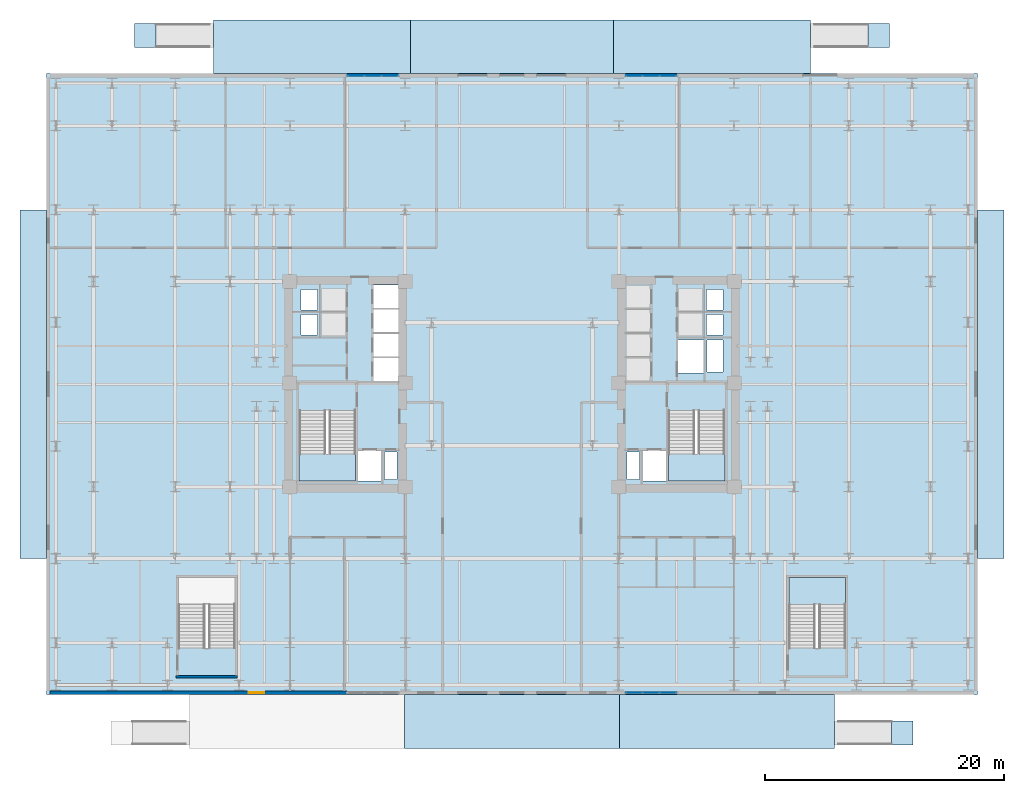
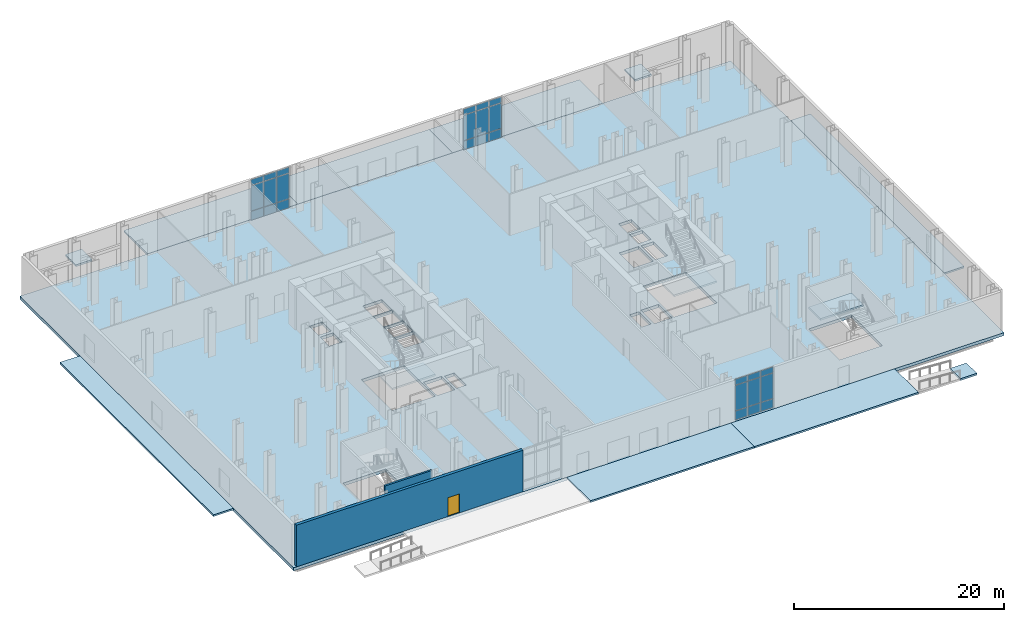
# One storey, part 10 of 21: 27 plates, 14 slabs, 2 walls, 1 door, 1 opening, 6 elements without a shape of their own.
"""IFC4 building model written with IfcOpenShell, lengths in metres."""

from ifc_helpers import new_model, si_unit, direction, frame, frame_2d, origin, origin_2d, place, context, subcontext, project, spatial, polyline, rectangle, outline, extrude, material, layer, layer_set, type_object, element, fill, aggregate, save


model = new_model("IFC4")

# Units and contexts
model_context = context("Model", 3, precision=1e-05, world=origin(), true_north=direction((0.0, 1.0)))
body_context = subcontext(model_context, "Body", "Model", "MODEL_VIEW")
ifc_project = project(units=[si_unit("LENGTHUNIT", "METRE"), si_unit("AREAUNIT", "SQUARE_METRE"), si_unit("VOLUMEUNIT", "CUBIC_METRE"), si_unit("PLANEANGLEUNIT", "RADIAN"), si_unit("MASSUNIT", "GRAM", prefix="KILO")], contexts=[model_context])

# Site, building, storey
site_placement = place(None, origin())
site = spatial("IfcSite", under=ifc_project, at=site_placement, CompositionType="ELEMENT")
building_placement = place(site_placement, origin())
building = spatial("IfcBuilding", under=site, at=building_placement, Name="Velakula Bourse", CompositionType="ELEMENT")
storey_placement = place(building_placement, origin())
storey = spatial("IfcBuildingStorey", under=building, at=storey_placement, Name="L00", CompositionType="ELEMENT", Elevation=0.0)

# Curtain wall, plates
ifc_material_1 = material(Name="Anodised bronze architectural aluminium", Category="aluminium")
ifc_layer_1 = layer(ifc_material_1, 0.199951171875, Name="Anodised bronze architectural aluminium", Category="aluminium")
ifc_layer_set_1 = layer_set([ifc_layer_1], Name="Anodised bronze architectural aluminium")
curtain_wall_type = type_object("IfcCurtainWallType", Name="CW-ST1", PredefinedType="NOTDEFINED", material=ifc_layer_set_1)
curtain_wall_1_placement = place(storey_placement, origin())
curtain_wall_1 = element("IfcCurtainWall", 1, at=curtain_wall_1_placement, inside=storey, type_object=curtain_wall_type, Name="L00 South Station Galleria Curtain Wall 2", PredefinedType="NOTDEFINED")
ifc_material_2 = material(Name="Double-glazed solar-control Low-E glass", Category="glass")
ifc_layer_2 = layer(ifc_material_2, 0.028076171875, Name="Double-glazed solar-control Low-E glass", Category="glass")
ifc_layer_set_2 = layer_set([ifc_layer_2], Name="Double-glazed solar-control Low-E glass")
plate_type = type_object("IfcPlateType", Name="PNL-CW-ST1", PredefinedType="CURTAIN_PANEL", material=ifc_layer_set_2)
plate_1_placement = place(storey_placement, frame((13.068359375, -25.840087890625, 0.06005859375), z_axis=(0.0, 0.0, 1.0), x_axis=(-1.0, 0.0, 0.0)))
plate_1 = element("IfcPlate", 2, at=plate_1_placement, type_object=plate_type, Name="CW-ST1 panel 1.1", PredefinedType="CURTAIN_PANEL", context=body_context, shape_type="SweptSolid", body=[
    extrude(rectangle(XDim=1.34326171875, YDim=0.028076171875, at=origin_2d()), origin(), (0.0, 0.0, 1.0), 1.010009765625),
])
plate_2_placement = place(storey_placement, frame((13.068359375, -25.840087890625, 1.130126953125), z_axis=(0.0, 0.0, 1.0), x_axis=(-1.0, 0.0, 0.0)))
plate_2 = element("IfcPlate", 3, at=plate_2_placement, type_object=plate_type, Name="CW-ST1 panel 1.2", PredefinedType="CURTAIN_PANEL", context=body_context, shape_type="SweptSolid", body=[
    extrude(rectangle(XDim=1.34326171875, YDim=0.028076171875, at=origin_2d()), origin(), (0.0, 0.0, 1.0), 2.919921875),
])
plate_3_placement = place(storey_placement, frame((13.068359375, -25.840087890625, 4.10986328125), z_axis=(0.0, 0.0, 1.0), x_axis=(-1.0, 0.0, 0.0)))
plate_3 = element("IfcPlate", 4, at=plate_3_placement, type_object=plate_type, Name="CW-ST1 panel 1.3", PredefinedType="CURTAIN_PANEL", context=body_context, shape_type="SweptSolid", body=[
    extrude(rectangle(XDim=1.34326171875, YDim=0.028076171875, at=origin_2d()), origin(), (0.0, 0.0, 1.0), 0.659912109375),
])
plate_4_placement = place(storey_placement, frame((11.64990234375, -25.840087890625, 0.06005859375), z_axis=(0.0, 0.0, 1.0), x_axis=(-1.0, 0.0, 0.0)))
plate_4 = element("IfcPlate", 5, at=plate_4_placement, type_object=plate_type, Name="CW-ST1 panel 2.1", PredefinedType="CURTAIN_PANEL", context=body_context, shape_type="SweptSolid", body=[
    extrude(rectangle(XDim=1.373291015625, YDim=0.028076171875, at=origin_2d()), origin(), (0.0, 0.0, 1.0), 1.010009765625),
])
plate_5_placement = place(storey_placement, frame((11.64990234375, -25.840087890625, 1.130126953125), z_axis=(0.0, 0.0, 1.0), x_axis=(-1.0, 0.0, 0.0)))
plate_5 = element("IfcPlate", 6, at=plate_5_placement, type_object=plate_type, Name="CW-ST1 panel 2.2", PredefinedType="CURTAIN_PANEL", context=body_context, shape_type="SweptSolid", body=[
    extrude(rectangle(XDim=1.373291015625, YDim=0.028076171875, at=origin_2d()), origin(), (0.0, 0.0, 1.0), 2.919921875),
])
plate_6_placement = place(storey_placement, frame((11.64990234375, -25.840087890625, 4.10986328125), z_axis=(0.0, 0.0, 1.0), x_axis=(-1.0, 0.0, 0.0)))
plate_6 = element("IfcPlate", 7, at=plate_6_placement, type_object=plate_type, Name="CW-ST1 panel 2.3", PredefinedType="CURTAIN_PANEL", context=body_context, shape_type="SweptSolid", body=[
    extrude(rectangle(XDim=1.373291015625, YDim=0.028076171875, at=origin_2d()), origin(), (0.0, 0.0, 1.0), 0.659912109375),
])
plate_7_placement = place(storey_placement, frame((10.231689453125, -25.840087890625, 0.06005859375), z_axis=(0.0, 0.0, 1.0), x_axis=(-1.0, 0.0, 0.0)))
plate_7 = element("IfcPlate", 8, at=plate_7_placement, type_object=plate_type, Name="CW-ST1 panel 3.1", PredefinedType="CURTAIN_PANEL", context=body_context, shape_type="SweptSolid", body=[
    extrude(rectangle(XDim=1.34326171875, YDim=0.028076171875, at=origin_2d()), origin(), (0.0, 0.0, 1.0), 1.010009765625),
])
plate_8_placement = place(storey_placement, frame((10.231689453125, -25.840087890625, 1.130126953125), z_axis=(0.0, 0.0, 1.0), x_axis=(-1.0, 0.0, 0.0)))
plate_8 = element("IfcPlate", 9, at=plate_8_placement, type_object=plate_type, Name="CW-ST1 panel 3.2", PredefinedType="CURTAIN_PANEL", context=body_context, shape_type="SweptSolid", body=[
    extrude(rectangle(XDim=1.34326171875, YDim=0.028076171875, at=origin_2d()), origin(), (0.0, 0.0, 1.0), 2.919921875),
])
plate_9_placement = place(storey_placement, frame((10.231689453125, -25.840087890625, 4.10986328125), z_axis=(0.0, 0.0, 1.0), x_axis=(-1.0, 0.0, 0.0)))
plate_9 = element("IfcPlate", 10, at=plate_9_placement, type_object=plate_type, Name="CW-ST1 panel 3.3", PredefinedType="CURTAIN_PANEL", context=body_context, shape_type="SweptSolid", body=[
    extrude(rectangle(XDim=1.34326171875, YDim=0.028076171875, at=origin_2d()), origin(), (0.0, 0.0, 1.0), 0.659912109375),
])
aggregate(curtain_wall_1, [plate_1, plate_2, plate_3, plate_4, plate_5, plate_6, plate_7, plate_8, plate_9])

curtain_wall_2_placement = place(storey_placement, origin())
curtain_wall_2 = element("IfcCurtainWall", 11, at=curtain_wall_2_placement, inside=storey, type_object=curtain_wall_type, Name="L00 North Station Galleria Curtain Wall 2", PredefinedType="NOTDEFINED")
plate_10_placement = place(storey_placement, frame((-13.068359375, 25.840087890625, 0.06005859375), z_axis=(0.0, 0.0, 1.0), x_axis=(1.0, 0.0, 0.0)))
plate_10 = element("IfcPlate", 12, at=plate_10_placement, type_object=plate_type, Name="CW-ST1 panel 1.1", PredefinedType="CURTAIN_PANEL", context=body_context, shape_type="SweptSolid", body=[
    extrude(rectangle(XDim=1.34326171875, YDim=0.028076171875, at=origin_2d()), origin(), (0.0, 0.0, 1.0), 1.010009765625),
])
plate_11_placement = place(storey_placement, frame((-13.068359375, 25.840087890625, 1.130126953125), z_axis=(0.0, 0.0, 1.0), x_axis=(1.0, 0.0, 0.0)))
plate_11 = element("IfcPlate", 13, at=plate_11_placement, type_object=plate_type, Name="CW-ST1 panel 1.2", PredefinedType="CURTAIN_PANEL", context=body_context, shape_type="SweptSolid", body=[
    extrude(rectangle(XDim=1.34326171875, YDim=0.028076171875, at=origin_2d()), origin(), (0.0, 0.0, 1.0), 2.919921875),
])
plate_12_placement = place(storey_placement, frame((-13.068359375, 25.840087890625, 4.10986328125), z_axis=(0.0, 0.0, 1.0), x_axis=(1.0, 0.0, 0.0)))
plate_12 = element("IfcPlate", 14, at=plate_12_placement, type_object=plate_type, Name="CW-ST1 panel 1.3", PredefinedType="CURTAIN_PANEL", context=body_context, shape_type="SweptSolid", body=[
    extrude(rectangle(XDim=1.34326171875, YDim=0.028076171875, at=origin_2d()), origin(), (0.0, 0.0, 1.0), 0.659912109375),
])
plate_13_placement = place(storey_placement, frame((-11.64990234375, 25.840087890625, 0.06005859375), z_axis=(0.0, 0.0, 1.0), x_axis=(1.0, 0.0, 0.0)))
plate_13 = element("IfcPlate", 15, at=plate_13_placement, type_object=plate_type, Name="CW-ST1 panel 2.1", PredefinedType="CURTAIN_PANEL", context=body_context, shape_type="SweptSolid", body=[
    extrude(rectangle(XDim=1.373291015625, YDim=0.028076171875, at=origin_2d()), origin(), (0.0, 0.0, 1.0), 1.010009765625),
])
plate_14_placement = place(storey_placement, frame((-11.64990234375, 25.840087890625, 1.130126953125), z_axis=(0.0, 0.0, 1.0), x_axis=(1.0, 0.0, 0.0)))
plate_14 = element("IfcPlate", 16, at=plate_14_placement, type_object=plate_type, Name="CW-ST1 panel 2.2", PredefinedType="CURTAIN_PANEL", context=body_context, shape_type="SweptSolid", body=[
    extrude(rectangle(XDim=1.373291015625, YDim=0.028076171875, at=origin_2d()), origin(), (0.0, 0.0, 1.0), 2.919921875),
])
plate_15_placement = place(storey_placement, frame((-11.64990234375, 25.840087890625, 4.10986328125), z_axis=(0.0, 0.0, 1.0), x_axis=(1.0, 0.0, 0.0)))
plate_15 = element("IfcPlate", 17, at=plate_15_placement, type_object=plate_type, Name="CW-ST1 panel 2.3", PredefinedType="CURTAIN_PANEL", context=body_context, shape_type="SweptSolid", body=[
    extrude(rectangle(XDim=1.373291015625, YDim=0.028076171875, at=origin_2d()), origin(), (0.0, 0.0, 1.0), 0.659912109375),
])
plate_16_placement = place(storey_placement, frame((-10.231689453125, 25.840087890625, 0.06005859375), z_axis=(0.0, 0.0, 1.0), x_axis=(1.0, 0.0, 0.0)))
plate_16 = element("IfcPlate", 18, at=plate_16_placement, type_object=plate_type, Name="CW-ST1 panel 3.1", PredefinedType="CURTAIN_PANEL", context=body_context, shape_type="SweptSolid", body=[
    extrude(rectangle(XDim=1.34326171875, YDim=0.028076171875, at=origin_2d()), origin(), (0.0, 0.0, 1.0), 1.010009765625),
])
plate_17_placement = place(storey_placement, frame((-10.231689453125, 25.840087890625, 1.130126953125), z_axis=(0.0, 0.0, 1.0), x_axis=(1.0, 0.0, 0.0)))
plate_17 = element("IfcPlate", 19, at=plate_17_placement, type_object=plate_type, Name="CW-ST1 panel 3.2", PredefinedType="CURTAIN_PANEL", context=body_context, shape_type="SweptSolid", body=[
    extrude(rectangle(XDim=1.34326171875, YDim=0.028076171875, at=origin_2d()), origin(), (0.0, 0.0, 1.0), 2.919921875),
])
plate_18_placement = place(storey_placement, frame((-10.231689453125, 25.840087890625, 4.10986328125), z_axis=(0.0, 0.0, 1.0), x_axis=(1.0, 0.0, 0.0)))
plate_18 = element("IfcPlate", 20, at=plate_18_placement, type_object=plate_type, Name="CW-ST1 panel 3.3", PredefinedType="CURTAIN_PANEL", context=body_context, shape_type="SweptSolid", body=[
    extrude(rectangle(XDim=1.34326171875, YDim=0.028076171875, at=origin_2d()), origin(), (0.0, 0.0, 1.0), 0.659912109375),
])
aggregate(curtain_wall_2, [plate_10, plate_11, plate_12, plate_13, plate_14, plate_15, plate_16, plate_17, plate_18])

curtain_wall_3_placement = place(storey_placement, origin())
curtain_wall_3 = element("IfcCurtainWall", 21, at=curtain_wall_3_placement, inside=storey, type_object=curtain_wall_type, Name="L00 North Station Galleria Curtain Wall 4", PredefinedType="NOTDEFINED")
plate_19_placement = place(storey_placement, frame((10.231689453125, 25.840087890625, 0.06005859375), z_axis=(0.0, 0.0, 1.0), x_axis=(1.0, 0.0, 0.0)))
plate_19 = element("IfcPlate", 22, at=plate_19_placement, type_object=plate_type, Name="CW-ST1 panel 1.1", PredefinedType="CURTAIN_PANEL", context=body_context, shape_type="SweptSolid", body=[
    extrude(rectangle(XDim=1.34326171875, YDim=0.028076171875, at=origin_2d()), origin(), (0.0, 0.0, 1.0), 1.010009765625),
])
plate_20_placement = place(storey_placement, frame((10.231689453125, 25.840087890625, 1.130126953125), z_axis=(0.0, 0.0, 1.0), x_axis=(1.0, 0.0, 0.0)))
plate_20 = element("IfcPlate", 23, at=plate_20_placement, type_object=plate_type, Name="CW-ST1 panel 1.2", PredefinedType="CURTAIN_PANEL", context=body_context, shape_type="SweptSolid", body=[
    extrude(rectangle(XDim=1.34326171875, YDim=0.028076171875, at=origin_2d()), origin(), (0.0, 0.0, 1.0), 2.919921875),
])
plate_21_placement = place(storey_placement, frame((10.231689453125, 25.840087890625, 4.10986328125), z_axis=(0.0, 0.0, 1.0), x_axis=(1.0, 0.0, 0.0)))
plate_21 = element("IfcPlate", 24, at=plate_21_placement, type_object=plate_type, Name="CW-ST1 panel 1.3", PredefinedType="CURTAIN_PANEL", context=body_context, shape_type="SweptSolid", body=[
    extrude(rectangle(XDim=1.34326171875, YDim=0.028076171875, at=origin_2d()), origin(), (0.0, 0.0, 1.0), 0.659912109375),
])
plate_22_placement = place(storey_placement, frame((11.64990234375, 25.840087890625, 0.06005859375), z_axis=(0.0, 0.0, 1.0), x_axis=(1.0, 0.0, 0.0)))
plate_22 = element("IfcPlate", 25, at=plate_22_placement, type_object=plate_type, Name="CW-ST1 panel 2.1", PredefinedType="CURTAIN_PANEL", context=body_context, shape_type="SweptSolid", body=[
    extrude(rectangle(XDim=1.373291015625, YDim=0.028076171875, at=origin_2d()), origin(), (0.0, 0.0, 1.0), 1.010009765625),
])
plate_23_placement = place(storey_placement, frame((11.64990234375, 25.840087890625, 1.130126953125), z_axis=(0.0, 0.0, 1.0), x_axis=(1.0, 0.0, 0.0)))
plate_23 = element("IfcPlate", 26, at=plate_23_placement, type_object=plate_type, Name="CW-ST1 panel 2.2", PredefinedType="CURTAIN_PANEL", context=body_context, shape_type="SweptSolid", body=[
    extrude(rectangle(XDim=1.373291015625, YDim=0.028076171875, at=origin_2d()), origin(), (0.0, 0.0, 1.0), 2.919921875),
])
plate_24_placement = place(storey_placement, frame((11.64990234375, 25.840087890625, 4.10986328125), z_axis=(0.0, 0.0, 1.0), x_axis=(1.0, 0.0, 0.0)))
plate_24 = element("IfcPlate", 27, at=plate_24_placement, type_object=plate_type, Name="CW-ST1 panel 2.3", PredefinedType="CURTAIN_PANEL", context=body_context, shape_type="SweptSolid", body=[
    extrude(rectangle(XDim=1.373291015625, YDim=0.028076171875, at=origin_2d()), origin(), (0.0, 0.0, 1.0), 0.659912109375),
])
plate_25_placement = place(storey_placement, frame((13.068359375, 25.840087890625, 0.06005859375), z_axis=(0.0, 0.0, 1.0), x_axis=(1.0, 0.0, 0.0)))
plate_25 = element("IfcPlate", 28, at=plate_25_placement, type_object=plate_type, Name="CW-ST1 panel 3.1", PredefinedType="CURTAIN_PANEL", context=body_context, shape_type="SweptSolid", body=[
    extrude(rectangle(XDim=1.34326171875, YDim=0.028076171875, at=origin_2d()), origin(), (0.0, 0.0, 1.0), 1.010009765625),
])
plate_26_placement = place(storey_placement, frame((13.068359375, 25.840087890625, 1.130126953125), z_axis=(0.0, 0.0, 1.0), x_axis=(1.0, 0.0, 0.0)))
plate_26 = element("IfcPlate", 29, at=plate_26_placement, type_object=plate_type, Name="CW-ST1 panel 3.2", PredefinedType="CURTAIN_PANEL", context=body_context, shape_type="SweptSolid", body=[
    extrude(rectangle(XDim=1.34326171875, YDim=0.028076171875, at=origin_2d()), origin(), (0.0, 0.0, 1.0), 2.919921875),
])
plate_27_placement = place(storey_placement, frame((13.068359375, 25.840087890625, 4.10986328125), z_axis=(0.0, 0.0, 1.0), x_axis=(1.0, 0.0, 0.0)))
plate_27 = element("IfcPlate", 30, at=plate_27_placement, type_object=plate_type, Name="CW-ST1 panel 3.3", PredefinedType="CURTAIN_PANEL", context=body_context, shape_type="SweptSolid", body=[
    extrude(rectangle(XDim=1.34326171875, YDim=0.028076171875, at=origin_2d()), origin(), (0.0, 0.0, 1.0), 0.659912109375),
])
aggregate(curtain_wall_3, [plate_19, plate_20, plate_21, plate_22, plate_23, plate_24, plate_25, plate_26, plate_27])

# Slabs
ifc_material_3 = material(Name="Concrete M50 (fck 50 MPa)", Category="concrete")
ifc_layer_3 = layer(ifc_material_3, 0.35009765625, Name="Concrete M50 (fck 50 MPa)", Category="concrete")
ifc_layer_set_3 = layer_set([ifc_layer_3], Name="Concrete M50 (fck 50 MPa)")
slab_type_1 = type_object("IfcSlabType", Name="SLB-L00-350", PredefinedType="FLOOR", material=ifc_layer_set_3)
slab_1_placement = place(storey_placement, frame((0.0, 0.0, -0.35009765625)))
element("IfcSlab", 31, at=slab_1_placement, inside=storey, type_object=slab_type_1, Name="L00 Suspended Structural Floor Slab", PredefinedType="FLOOR", context=body_context, shape_type="SweptSolid", body=[
    extrude(outline(polyline([(-39.0, -26.0), (39.0, -26.0), (39.0, 26.0), (-39.0, 26.0), (-39.0, -26.0)]), holes=[polyline([(-17.820068359375, -8.10009765625), (-13.10009765625, -8.10009765625), (-13.10009765625, -2.199951171875), (-17.820068359375, -2.199951171875), (-17.820068359375, -8.10009765625)]), polyline([(13.10009765625, -8.10009765625), (17.820068359375, -8.10009765625), (17.820068359375, -2.199951171875), (13.10009765625, -2.199951171875), (13.10009765625, -8.10009765625)]), polyline([(-27.919921875, -22.10009765625), (-23.199951171875, -22.10009765625), (-23.199951171875, -16.199951171875), (-27.919921875, -16.199951171875), (-27.919921875, -22.10009765625)]), polyline([(23.199951171875, -22.10009765625), (27.919921875, -22.10009765625), (27.919921875, -16.199951171875), (23.199951171875, -16.199951171875), (23.199951171875, -22.10009765625)]), polyline([(-12.89990234375, -8.10009765625), (-10.949951171875, -8.10009765625), (-10.949951171875, -5.550048828125), (-12.89990234375, -5.550048828125), (-12.89990234375, -8.10009765625)]), polyline([(10.949951171875, -8.10009765625), (12.89990234375, -8.10009765625), (12.89990234375, -5.550048828125), (10.949951171875, -5.550048828125), (10.949951171875, -8.10009765625)]), polyline([(13.89990234375, 0.919921875), (16.050048828125, 0.919921875), (16.050048828125, 3.719970703125), (13.89990234375, 3.719970703125), (13.89990234375, 0.919921875)]), polyline([(-10.679931640625, -7.97998046875), (-9.6201171875, -7.97998046875), (-9.6201171875, -5.669921875), (-10.679931640625, -5.669921875), (-10.679931640625, -7.97998046875)]), polyline([(-17.679931640625, 4.139892578125), (-16.27001953125, 4.139892578125), (-16.27001953125, 5.85009765625), (-17.679931640625, 5.85009765625), (-17.679931640625, 4.139892578125)]), polyline([(-17.679931640625, 6.2099609375), (-16.27001953125, 6.2099609375), (-16.27001953125, 7.919921875), (-17.679931640625, 7.919921875), (-17.679931640625, 6.2099609375)]), polyline([(9.6201171875, -7.97998046875), (10.679931640625, -7.97998046875), (10.679931640625, -5.669921875), (9.6201171875, -5.669921875), (9.6201171875, -7.97998046875)]), polyline([(16.27001953125, 4.139892578125), (17.679931640625, 4.139892578125), (17.679931640625, 5.85009765625), (16.27001953125, 5.85009765625), (16.27001953125, 4.139892578125)]), polyline([(16.27001953125, 6.2099609375), (17.679931640625, 6.2099609375), (17.679931640625, 7.919921875), (16.27001953125, 7.919921875), (16.27001953125, 6.2099609375)]), polyline([(16.320068359375, 1.0400390625), (17.679931640625, 1.0400390625), (17.679931640625, 3.699951171875), (16.320068359375, 3.699951171875), (16.320068359375, 1.0400390625)]), polyline([(-11.60009765625, 0.280029296875), (-9.5, 0.280029296875), (-9.5, 2.199951171875), (-11.60009765625, 2.199951171875), (-11.60009765625, 0.280029296875)]), polyline([(-11.60009765625, 2.31005859375), (-9.5, 2.31005859375), (-9.5, 4.22998046875), (-11.60009765625, 4.22998046875), (-11.60009765625, 2.31005859375)]), polyline([(-11.60009765625, 4.340087890625), (-9.5, 4.340087890625), (-9.5, 6.260009765625), (-11.60009765625, 6.260009765625), (-11.60009765625, 4.340087890625)]), polyline([(-11.60009765625, 6.3701171875), (-9.5, 6.3701171875), (-9.5, 8.2900390625), (-11.60009765625, 8.2900390625), (-11.60009765625, 6.3701171875)])]), origin(), (0.0, 0.0, 1.0), 0.35009765625),
])
ifc_material_4 = material(Name="Deccan basalt stone paving", Category="masonry")
ifc_layer_4 = layer(ifc_material_4, 0.199951171875, Name="Deccan basalt stone paving", Category="masonry")
ifc_layer_set_4 = layer_set([ifc_layer_4], Name="Deccan basalt stone paving")
slab_type_2 = type_object("IfcSlabType", Name="SLB-PLAZA-200", PredefinedType="USERDEFINED", material=ifc_layer_set_4)
slab_2_placement = place(storey_placement, frame((0.0, 0.0, -0.199951171875)))
element("IfcSlab", 32, at=slab_2_placement, inside=storey, type_object=slab_type_2, Name="L00 South Station Forecourt Basalt Plaza Slab 2", ObjectType="PAVING", PredefinedType="USERDEFINED", context=body_context, shape_type="SweptSolid", body=[
    extrude(outline(polyline([(-9.0, -30.5), (9.0, -30.5), (9.0, -26.0), (-9.0, -26.0), (-9.0, -30.5)])), origin(), (0.0, 0.0, 1.0), 0.199951171875),
])
slab_3_placement = place(storey_placement, frame((0.0, 0.0, -0.199951171875)))
element("IfcSlab", 33, at=slab_3_placement, inside=storey, type_object=slab_type_2, Name="L00 South Station Forecourt Basalt Plaza Slab 3", ObjectType="PAVING", PredefinedType="USERDEFINED", context=body_context, shape_type="SweptSolid", body=[
    extrude(outline(polyline([(9.0, -30.5), (27.0, -30.5), (27.0, -26.0), (9.0, -26.0), (9.0, -30.5)])), origin(), (0.0, 0.0, 1.0), 0.199951171875),
])
slab_4_placement = place(storey_placement, frame((0.0, 0.0, -0.199951171875)))
element("IfcSlab", 34, at=slab_4_placement, inside=storey, type_object=slab_type_2, Name="L00 North Station Forecourt Basalt Plaza Slab 1", ObjectType="PAVING", PredefinedType="USERDEFINED", context=body_context, shape_type="SweptSolid", body=[
    extrude(outline(polyline([(-25.0, 26.0), (-8.5, 26.0), (-8.5, 30.5), (-25.0, 30.5), (-25.0, 26.0)])), origin(), (0.0, 0.0, 1.0), 0.199951171875),
])
slab_5_placement = place(storey_placement, frame((0.0, 0.0, -0.199951171875)))
element("IfcSlab", 35, at=slab_5_placement, inside=storey, type_object=slab_type_2, Name="L00 North Station Forecourt Basalt Plaza Slab 2", ObjectType="PAVING", PredefinedType="USERDEFINED", context=body_context, shape_type="SweptSolid", body=[
    extrude(outline(polyline([(-8.5, 26.0), (8.5, 26.0), (8.5, 30.5), (-8.5, 30.5), (-8.5, 26.0)])), origin(), (0.0, 0.0, 1.0), 0.199951171875),
])
slab_6_placement = place(storey_placement, frame((0.0, 0.0, -0.199951171875)))
element("IfcSlab", 36, at=slab_6_placement, inside=storey, type_object=slab_type_2, Name="L00 North Station Forecourt Basalt Plaza Slab 3", ObjectType="PAVING", PredefinedType="USERDEFINED", context=body_context, shape_type="SweptSolid", body=[
    extrude(outline(polyline([(8.5, 26.0), (25.0, 26.0), (25.0, 30.5), (8.5, 30.5), (8.5, 26.0)])), origin(), (0.0, 0.0, 1.0), 0.199951171875),
])
slab_7_placement = place(storey_placement, frame((0.0, 0.0, -0.199951171875)))
element("IfcSlab", 37, at=slab_7_placement, inside=storey, type_object=slab_type_2, Name="L00 West Metro Portal Basalt Forecourt Slab", ObjectType="PAVING", PredefinedType="USERDEFINED", context=body_context, shape_type="SweptSolid", body=[
    extrude(outline(polyline([(-41.199951171875, -14.60009765625), (-39.0, -14.60009765625), (-39.0, 14.60009765625), (-41.199951171875, 14.60009765625), (-41.199951171875, -14.60009765625)])), origin(), (0.0, 0.0, 1.0), 0.199951171875),
])
slab_8_placement = place(storey_placement, frame((0.0, 0.0, -0.199951171875)))
element("IfcSlab", 38, at=slab_8_placement, inside=storey, type_object=slab_type_2, Name="L00 East Metro Portal Basalt Forecourt Slab", ObjectType="PAVING", PredefinedType="USERDEFINED", context=body_context, shape_type="SweptSolid", body=[
    extrude(outline(polyline([(39.0, -14.60009765625), (41.199951171875, -14.60009765625), (41.199951171875, 14.60009765625), (39.0, 14.60009765625), (39.0, -14.60009765625)])), origin(), (0.0, 0.0, 1.0), 0.199951171875),
])
ifc_material_5 = material(Name="Concrete M45 (fck 45 MPa)", Category="concrete")
ifc_layer_5 = layer(ifc_material_5, 0.2099609375, Name="Concrete M45 (fck 45 MPa)", Category="concrete")
ifc_layer_set_5 = layer_set([ifc_layer_5], Name="Concrete M45 (fck 45 MPa)")
slab_type_3 = type_object("IfcSlabType", Name="SLB-RAMP-LND-210", PredefinedType="LANDING", material=ifc_layer_set_5)
slab_9_placement = place(storey_placement, frame((0.0, 0.0, -0.510009765625)))
element("IfcSlab", 39, at=slab_9_placement, inside=storey, type_object=slab_type_3, Name="South-East Station Flood-Threshold Ramp Lower Approach Landing", PredefinedType="LANDING", context=body_context, shape_type="SweptSolid", body=[
    extrude(outline(polyline([(31.800048828125, -30.199951171875), (33.60009765625, -30.199951171875), (33.60009765625, -28.199951171875), (31.800048828125, -28.199951171875), (31.800048828125, -30.199951171875)])), origin(), (0.0, 0.0, 1.0), 0.2099609375),
])
slab_10_placement = place(storey_placement, frame((0.0, 0.0, -0.510009765625)))
element("IfcSlab", 40, at=slab_10_placement, inside=storey, type_object=slab_type_3, Name="North-West Station Flood-Threshold Ramp Lower Approach Landing", PredefinedType="LANDING", context=body_context, shape_type="SweptSolid", body=[
    extrude(outline(polyline([(-31.60009765625, 28.199951171875), (-29.800048828125, 28.199951171875), (-29.800048828125, 30.199951171875), (-31.60009765625, 30.199951171875), (-31.60009765625, 28.199951171875)])), origin(), (0.0, 0.0, 1.0), 0.2099609375),
])
slab_11_placement = place(storey_placement, frame((0.0, 0.0, -0.510009765625)))
element("IfcSlab", 41, at=slab_11_placement, inside=storey, type_object=slab_type_3, Name="North-East Station Flood-Threshold Ramp Lower Approach Landing", PredefinedType="LANDING", context=body_context, shape_type="SweptSolid", body=[
    extrude(outline(polyline([(29.800048828125, 28.199951171875), (31.60009765625, 28.199951171875), (31.60009765625, 30.199951171875), (29.800048828125, 30.199951171875), (29.800048828125, 28.199951171875)])), origin(), (0.0, 0.0, 1.0), 0.2099609375),
])

# Stair, slab
stair_type = type_object("IfcStairType", Name="STR-DOG-510", PredefinedType="HALF_TURN_STAIR", material=ifc_material_5)
stair_1_placement = place(storey_placement, origin())
stair_1 = element("IfcStair", 42, at=stair_1_placement, inside=storey, type_object=stair_type, Name="L00 West Core Exit Stair ST-W1", PredefinedType="HALF_TURN_STAIR")
ifc_layer_6 = layer(ifc_material_5, 0.199951171875, Name="Concrete M45 (fck 45 MPa)", Category="concrete")
ifc_layer_set_6 = layer_set([ifc_layer_6], Name="Concrete M45 (fck 45 MPa)")
slab_type_4 = type_object("IfcSlabType", Name="SLB-STAIR-LND-200", PredefinedType="LANDING", material=ifc_layer_set_6)
slab_12_placement = place(storey_placement, frame((0.0, 0.0, 2.35009765625)))
slab_12 = element("IfcSlab", 43, at=slab_12_placement, type_object=slab_type_4, Name="ST-W1 landing 1", PredefinedType="LANDING", context=body_context, shape_type="SweptSolid", body=[
    extrude(outline(polyline([(-17.820068359375, -5.840087890625), (-17.820068359375, -8.10009765625), (-13.10009765625, -8.10009765625), (-13.10009765625, -5.840087890625), (-17.820068359375, -5.840087890625)])), origin(), (0.0, 0.0, 1.0), 0.199951171875),
])
aggregate(stair_1, [slab_12])

stair_2_placement = place(storey_placement, origin())
stair_2 = element("IfcStair", 44, at=stair_2_placement, inside=storey, type_object=stair_type, Name="L00 East Core Exit Stair ST-E1", PredefinedType="HALF_TURN_STAIR")
slab_13_placement = place(storey_placement, frame((0.0, 0.0, 2.35009765625)))
slab_13 = element("IfcSlab", 45, at=slab_13_placement, type_object=slab_type_4, Name="ST-E1 landing 1", PredefinedType="LANDING", context=body_context, shape_type="SweptSolid", body=[
    extrude(outline(polyline([(13.10009765625, -5.840087890625), (13.10009765625, -8.10009765625), (17.820068359375, -8.10009765625), (17.820068359375, -5.840087890625), (13.10009765625, -5.840087890625)])), origin(), (0.0, 0.0, 1.0), 0.199951171875),
])
aggregate(stair_2, [slab_13])

stair_3_placement = place(storey_placement, origin())
stair_3 = element("IfcStair", 46, at=stair_3_placement, inside=storey, type_object=stair_type, Name="L00 East Podium Exit Stair ST-P2", PredefinedType="HALF_TURN_STAIR")
slab_14_placement = place(storey_placement, frame((0.0, 0.0, 2.35009765625)))
slab_14 = element("IfcSlab", 47, at=slab_14_placement, type_object=slab_type_4, Name="ST-P2 landing 1", PredefinedType="LANDING", context=body_context, shape_type="SweptSolid", body=[
    extrude(outline(polyline([(27.919921875, -18.4599609375), (27.919921875, -16.199951171875), (23.199951171875, -16.199951171875), (23.199951171875, -18.4599609375), (27.919921875, -18.4599609375)])), origin(), (0.0, 0.0, 1.0), 0.199951171875),
])
aggregate(stair_3, [slab_14])

# Wall
ifc_layer_7 = layer(ifc_material_3, 0.2099609375, Name="Concrete M50 (fck 50 MPa)", Category="concrete")
ifc_layer_set_7 = layer_set([ifc_layer_7], Name="Concrete M50 (fck 50 MPa)")
wall_type_1 = type_object("IfcWallType", Name="WL-CORE-210", PredefinedType="SHEAR", material=ifc_layer_set_7)
wall_1_placement = place(storey_placement, frame((-28.1298828125, -24.5048828125, 0.0), z_axis=(0.0, 0.0, 1.0), x_axis=(1.0, 0.0, 0.0)))
element("IfcWall", 48, at=wall_1_placement, inside=storey, type_object=wall_type_1, Name="L00 Podium Stair ST-P1 Shear Wall S", PredefinedType="SHEAR", context=body_context, shape_type="SweptSolid", body=[
    extrude(rectangle(XDim=5.139892578125, YDim=0.2099609375, at=frame_2d((2.56982421875, 0.0))), origin(), (0.0, 0.0, 1.0), 4.85009765625),
])

# Wall, opening, door
ifc_material_6 = material(Name="Red kilned clay facing brick masonry", Category="masonry")
ifc_layer_8 = layer(ifc_material_6, 0.320068359375, Name="Red kilned clay facing brick masonry", Category="masonry")
ifc_layer_set_8 = layer_set([ifc_layer_8], Name="Red kilned clay facing brick masonry")
wall_type_2 = type_object("IfcWallType", Name="WL-EXT-BRK-320", PredefinedType="STANDARD", material=ifc_layer_set_8)
wall_2_placement = place(storey_placement, frame((-13.800048828125, -25.840087890625, 0.0), z_axis=(0.0, 0.0, 1.0), x_axis=(-1.0, 0.0, 0.0)))
wall_2 = element("IfcWall", 49, at=wall_2_placement, inside=storey, type_object=wall_type_2, Name="L00 South Brick Facade Wall 5", PredefinedType="STANDARD", context=body_context, shape_type="SweptSolid", body=[
    extrude(rectangle(XDim=24.8798828125, YDim=0.320068359375, at=frame_2d((12.43994140625, 0.0))), origin(), (0.0, 0.0, 1.0), 4.830078125),
])
opening_placement = place(wall_2_placement, frame((6.949951171875, 0.0, 0.0)))
opening = element("IfcOpeningElement", 50, at=opening_placement, cuts=wall_2, Name="Opening D-EXD4", PredefinedType="OPENING", context=body_context, shape_type="SweptSolid", body=[
    extrude(rectangle(XDim=1.300048828125, YDim=2.199951171875, at=frame_2d((0.64990234375, 1.10009765625))), frame((0.0, 0.169921875, 0.0), z_axis=(0.0, -1.0, 0.0), x_axis=(1.0, 0.0, 0.0)), (0.0, 0.0, 1.0), 0.340087890625),
])
door_type = type_object("IfcDoorType", Name="DR-EXT-EXIT-1300", OperationType="NOTDEFINED", PredefinedType="DOOR", material=ifc_material_1)
door_placement = place(opening_placement, origin())
door = element("IfcDoor", 51, at=door_placement, inside=storey, type_object=door_type, Name="L00 West Podium Concourse Final Exit Door", OperationType="SINGLE_SWING_RIGHT", OverallHeight=2.199951171875, OverallWidth=1.300048828125, PredefinedType="DOOR", context=body_context, shape_type="SweptSolid", body=[
    extrude(rectangle(XDim=1.300048828125, YDim=2.199951171875, at=frame_2d((0.64990234375, 1.10009765625))), frame((0.0, 0.02490234375, 0.0), z_axis=(0.0, -1.0, 0.0), x_axis=(1.0, 0.0, 0.0)), (0.0, 0.0, 1.0), 0.050048828125),
])
fill(opening, door)

save(model, "model.ifc")
